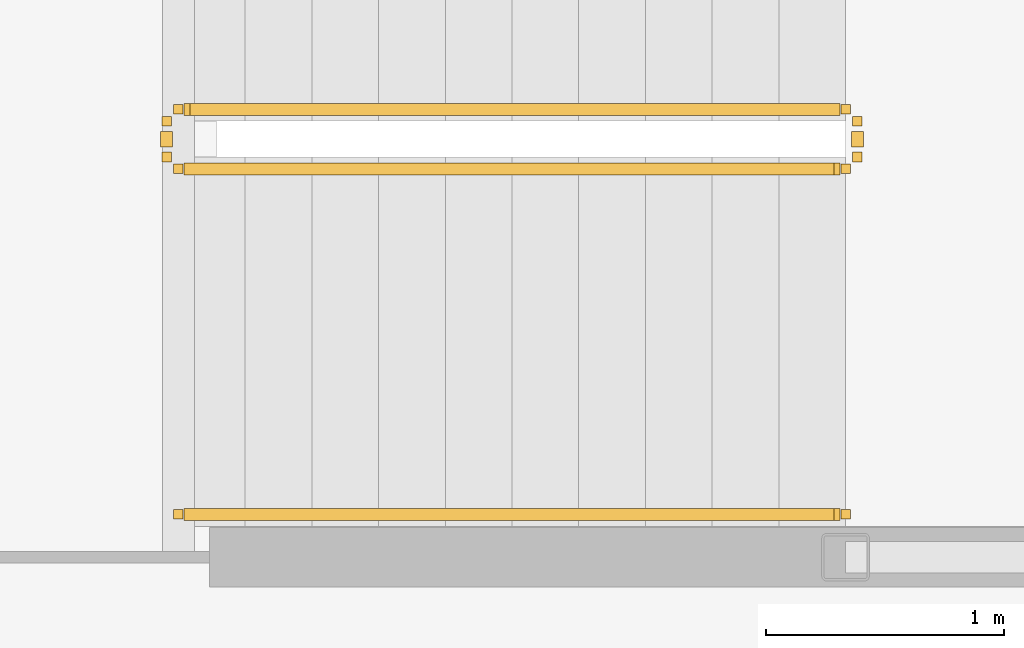
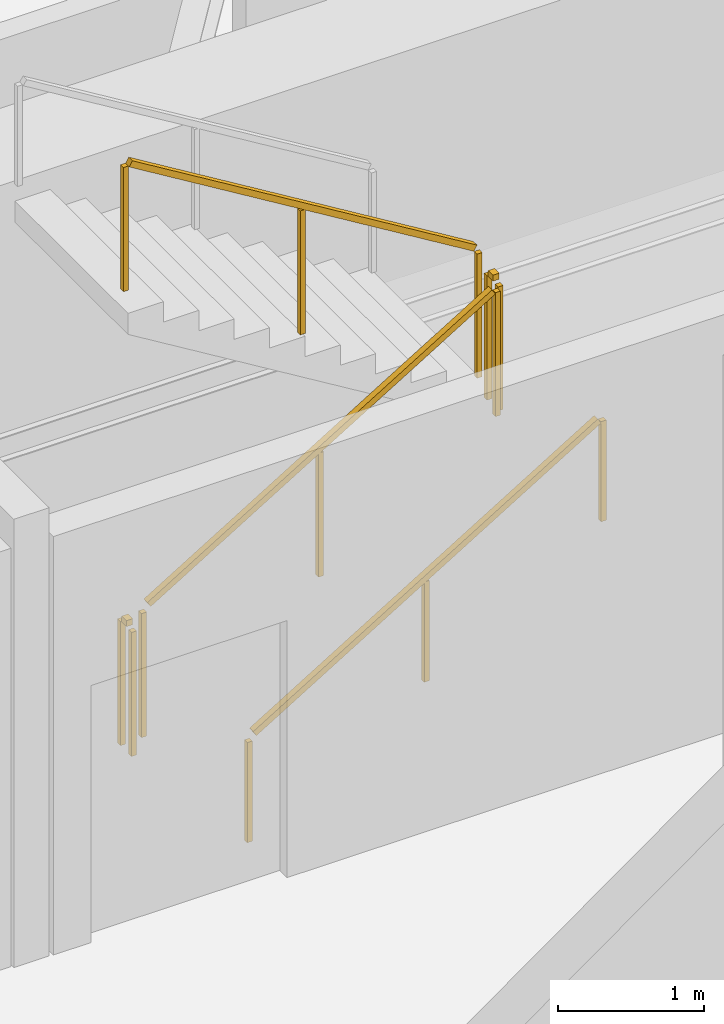
# One storey, part 19 of 20: 5 railings.
"""IFC4 building model written with IfcOpenShell, lengths in metres."""

from ifc_helpers import new_model, si_unit, direction, frame, origin, origin_2d, place, context, subcontext, project, spatial, rectangle, extrude, material, type_object, element, save


model = new_model("IFC4")

# Units and contexts
model_context = context("Model", 3, precision=1e-05, world=origin(), true_north=direction((0.0, 1.0)))
body_context = subcontext(model_context, "Body", "Model", "MODEL_VIEW")
ifc_project = project(units=[si_unit("LENGTHUNIT", "METRE"), si_unit("AREAUNIT", "SQUARE_METRE"), si_unit("VOLUMEUNIT", "CUBIC_METRE"), si_unit("PLANEANGLEUNIT", "RADIAN"), si_unit("MASSUNIT", "GRAM", prefix="KILO")], contexts=[model_context])

# Site, building, storey
site_placement = place(None, origin())
site = spatial("IfcSite", under=ifc_project, at=site_placement, CompositionType="ELEMENT")
building_placement = place(site_placement, origin())
building = spatial("IfcBuilding", under=site, at=building_placement, Name="Kazma Halo Residences", CompositionType="ELEMENT")
storey_placement = place(building_placement, frame((0.0, 0.0, 154.050048828125)))
storey = spatial("IfcBuildingStorey", under=building, at=storey_placement, Name="L38", CompositionType="ELEMENT", Elevation=154.050048828125)

# Railings
ifc_material_1 = material(Name="Painted Steel S355", Category="steel")
railing_type_1 = type_object("IfcRailingType", Name="RLG-STAIR-GRD-1100", PredefinedType="GUARDRAIL", material=ifc_material_1)
railing_1_placement = place(storey_placement, frame((53.199951171875, 48.25, 0.17041015625)))
element("IfcRailing", 1, at=railing_1_placement, inside=storey, type_object=railing_type_1, Name="L38 ST-02 stair guard 1", PredefinedType="GUARDRAIL", context=body_context, shape_type="SweptSolid", body=[
    extrude(rectangle(XDim=0.050048828125, YDim=0.050048828125, at=origin_2d()), frame((0.036376953125, 0.0, 1.09716796875), z_axis=(0.854169791009, 0.0, 0.51999420009), x_axis=(0.0, 1.0, 0.0)), (0.0, 0.0, 1.0), 3.193115234375),
    extrude(rectangle(XDim=0.0400390625, YDim=0.0400390625, at=origin_2d()), origin(), (0.0, 0.0, 1.0), 1.0380859375),
    extrude(rectangle(XDim=0.0400390625, YDim=0.0400390625, at=origin_2d()), frame((1.39990234375, 0.0, 0.852294921875)), (0.0, 0.0, 1.0), 1.0380859375),
    extrude(rectangle(XDim=0.0400390625, YDim=0.0400390625, at=origin_2d()), frame((2.800048828125, 0.0, 1.70458984375)), (0.0, 0.0, 1.0), 1.0380859375),
])
railing_2_placement = place(storey_placement, frame((56.050048828125, 48.300048828125, 1.875)))
element("IfcRailing", 2, at=railing_2_placement, inside=storey, type_object=railing_type_1, Name="L38 ST-02 stair guard 2", PredefinedType="GUARDRAIL", context=body_context, shape_type="SweptSolid", body=[
    extrude(rectangle(XDim=0.050048828125, YDim=0.050048828125, at=origin_2d()), frame((0.0, 0.04248046875, 1.0751953125), z_axis=(0.0, 1.0, 0.0), x_axis=(-1.0, 0.0, 0.0)), (0.0, 0.0, 1.0), 0.06494140625),
    extrude(rectangle(XDim=0.0400390625, YDim=0.0400390625, at=origin_2d()), origin(), (0.0, 0.0, 1.0), 1.0380859375),
    extrude(rectangle(XDim=0.0400390625, YDim=0.0400390625, at=origin_2d()), frame((0.0, 0.14990234375, 0.0)), (0.0, 0.0, 1.0), 1.0380859375),
])
railing_3_placement = place(storey_placement, frame((56.0, 48.5, 2.04541015625)))
element("IfcRailing", 3, at=railing_3_placement, inside=storey, type_object=railing_type_1, Name="L38 ST-02 stair guard 3", PredefinedType="GUARDRAIL", context=body_context, shape_type="SweptSolid", body=[
    extrude(rectangle(XDim=0.050048828125, YDim=0.050048828125, at=origin_2d()), frame((-0.036376953125, 0.0, 1.09716796875), z_axis=(-0.854169791009, 0.0, 0.51999420009), x_axis=(0.0, -1.0, 0.0)), (0.0, 0.0, 1.0), 3.193115234375),
    extrude(rectangle(XDim=0.0400390625, YDim=0.0400390625, at=origin_2d()), origin(), (0.0, 0.0, 1.0), 1.0380859375),
    extrude(rectangle(XDim=0.0400390625, YDim=0.0400390625, at=origin_2d()), frame((-1.39990234375, 0.0, 0.852294921875)), (0.0, 0.0, 1.0), 1.0380859375),
    extrude(rectangle(XDim=0.0400390625, YDim=0.0400390625, at=origin_2d()), frame((-2.800048828125, 0.0, 1.70458984375)), (0.0, 0.0, 1.0), 1.0380859375),
])
railing_4_placement = place(storey_placement, frame((53.14990234375, 48.300048828125, 0.0)))
element("IfcRailing", 4, at=railing_4_placement, inside=storey, type_object=railing_type_1, Name="L38 ST-02 stair guard 4", PredefinedType="GUARDRAIL", context=body_context, shape_type="SweptSolid", body=[
    extrude(rectangle(XDim=0.050048828125, YDim=0.050048828125, at=origin_2d()), frame((0.0, 0.04248046875, 1.0751953125), z_axis=(0.0, 1.0, 0.0), x_axis=(-1.0, 0.0, 0.0)), (0.0, 0.0, 1.0), 0.06494140625),
    extrude(rectangle(XDim=0.0400390625, YDim=0.0400390625, at=origin_2d()), origin(), (0.0, 0.0, 1.0), 1.0380859375),
    extrude(rectangle(XDim=0.0400390625, YDim=0.0400390625, at=origin_2d()), frame((0.0, 0.14990234375, 0.0)), (0.0, 0.0, 1.0), 1.0380859375),
])
ifc_material_2 = material(Name="Brushed Stainless Steel", Category="steel")
railing_type_2 = type_object("IfcRailingType", Name="RLG-STAIR-HND-900", PredefinedType="HANDRAIL", material=ifc_material_2)
railing_5_placement = place(storey_placement, frame((53.199951171875, 46.800048828125, 0.17041015625)))
element("IfcRailing", 5, at=railing_5_placement, inside=storey, type_object=railing_type_2, Name="L38 ST-02 stair handrail 1", PredefinedType="HANDRAIL", context=body_context, shape_type="SweptSolid", body=[
    extrude(rectangle(XDim=0.050048828125, YDim=0.050048828125, at=origin_2d()), frame((0.036376953125, 0.0, 0.89697265625), z_axis=(0.854169791009, 0.0, 0.51999420009), x_axis=(0.0, 1.0, 0.0)), (0.0, 0.0, 1.0), 3.193115234375),
    extrude(rectangle(XDim=0.0400390625, YDim=0.0400390625, at=origin_2d()), origin(), (0.0, 0.0, 1.0), 0.837890625),
    extrude(rectangle(XDim=0.0400390625, YDim=0.0400390625, at=origin_2d()), frame((1.39990234375, 0.0, 0.852294921875)), (0.0, 0.0, 1.0), 0.837890625),
    extrude(rectangle(XDim=0.0400390625, YDim=0.0400390625, at=origin_2d()), frame((2.800048828125, 0.0, 1.70458984375)), (0.0, 0.0, 1.0), 0.837890625),
])

save(model, "model.ifc")
